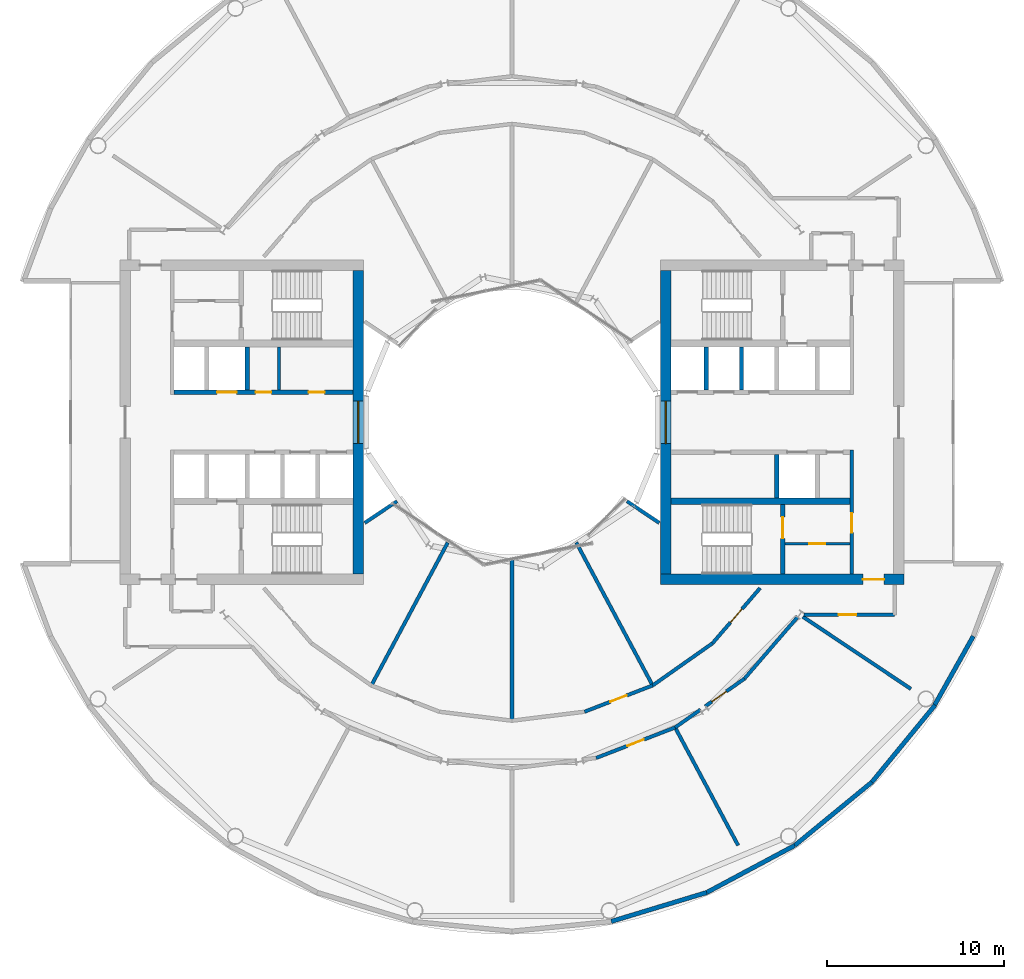
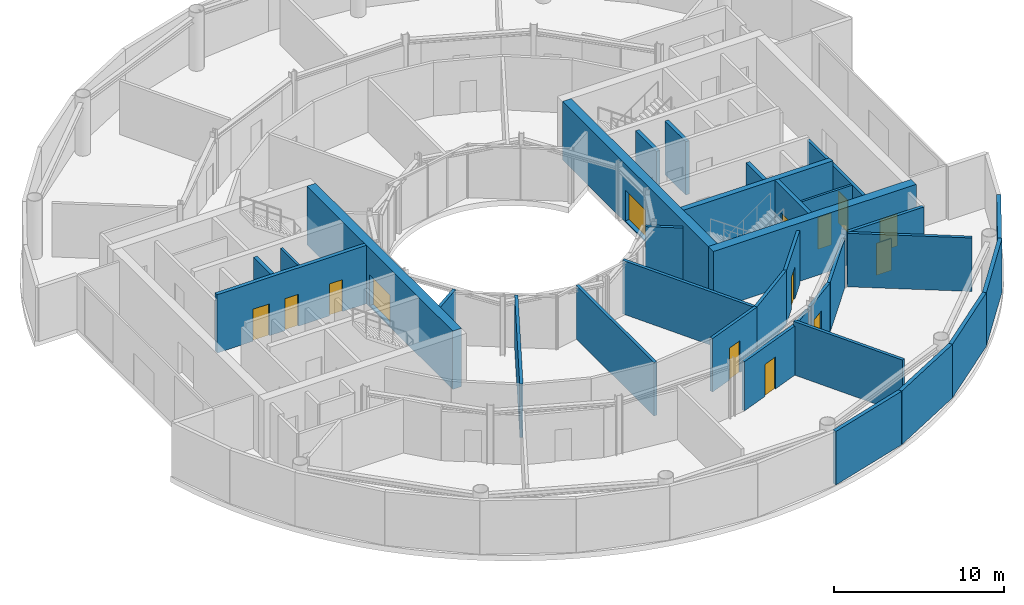
# One storey, part 12 of 18: 33 walls, 12 doors, 2 windows, 14 openings.
"""IFC4 building model written with IfcOpenShell, lengths in metres."""

from ifc_helpers import new_model, si_unit, direction, frame, frame_2d, origin, place, context, subcontext, project, spatial, rectangle, extrude, material, layer, layer_set, type_object, element, fill, save


model = new_model("IFC4")

# Units and contexts
model_context = context("Model", 3, precision=1e-05, world=origin(), true_north=direction((0.0, 1.0)))
body_context = subcontext(model_context, "Body", "Model", "MODEL_VIEW")
ifc_project = project(units=[si_unit("LENGTHUNIT", "METRE"), si_unit("AREAUNIT", "SQUARE_METRE"), si_unit("VOLUMEUNIT", "CUBIC_METRE"), si_unit("PLANEANGLEUNIT", "RADIAN"), si_unit("MASSUNIT", "GRAM", prefix="KILO")], contexts=[model_context])

# Site, building, storey
site_placement = place(None, origin())
site = spatial("IfcSite", under=ifc_project, at=site_placement, CompositionType="ELEMENT")
building_placement = place(site_placement, origin())
building = spatial("IfcBuilding", under=site, at=building_placement, Name="Maasbend Ring Residences", CompositionType="ELEMENT")
storey_placement = place(building_placement, frame((0.0, 0.0, 103.25)))
storey = spatial("IfcBuildingStorey", under=building, at=storey_placement, Name="L29", CompositionType="ELEMENT", Elevation=103.25)

# Wall, opening, door
ifc_material_1 = material(Name="Concrete C30/37", Category="concrete")
ifc_layer_1 = layer(ifc_material_1, 0.199951171875)
ifc_layer_set_1 = layer_set([ifc_layer_1], Name="Concrete C30/37")
wall_type_1 = type_object("IfcWallType", Name="COMPARTMENT WALL 200 CONCRETE", PredefinedType="PARTITIONING", material=ifc_layer_set_1)
wall_1_placement = place(storey_placement, frame((4.761962890625, -19.012939453125, 0.0), z_axis=(0.0, 0.0, 1.0), x_axis=(0.932988479706, 0.359906233255, 0.0)))
wall_1 = element("IfcWall", 1, at=wall_1_placement, inside=storey, type_object=wall_type_1, Name="U-L29-w012", PredefinedType="PARTITIONING", context=body_context, shape_type="SweptSolid", body=[
    extrude(rectangle(XDim=4.798583984375, YDim=0.199951171875, at=frame_2d((2.3994140625, 0.0))), origin(), (0.0, 0.0, 1.0), 3.5400390625),
])
opening_1_placement = place(wall_1_placement, frame((1.89892578125, 0.0, 0.0)))
opening_1 = element("IfcOpeningElement", 2, at=opening_1_placement, cuts=wall_1, Name="Opening D-2913", PredefinedType="OPENING", context=body_context, shape_type="SweptSolid", body=[
    extrude(rectangle(XDim=1.0, YDim=2.300048828125, at=frame_2d((0.5, 1.14990234375))), frame((0.0, 0.10986328125, 0.0), z_axis=(0.0, -1.0, 0.0), x_axis=(1.0, 0.0, 0.0)), (0.0, 0.0, 1.0), 0.219970703125),
])
ifc_material_2 = material(Name="Steel, fire-rated, painted", Category="steel")
door_type_1 = type_object("IfcDoorType", Name="PLANT DOOR 1000 X 2300 FIRE-RATED", OperationType="NOTDEFINED", PredefinedType="DOOR", material=ifc_material_2)
door_1_placement = place(opening_1_placement, origin())
door_1 = element("IfcDoor", 3, at=door_1_placement, inside=storey, type_object=door_type_1, Name="D-2913", OperationType="SINGLE_SWING_LEFT", OverallHeight=2.300048828125, OverallWidth=1.0, PredefinedType="DOOR", context=body_context, shape_type="SweptSolid", body=[
    extrude(rectangle(XDim=1.0, YDim=2.300048828125, at=frame_2d((0.5, 1.14990234375))), frame((0.0, 0.02490234375, 0.0), z_axis=(0.0, -1.0, 0.0), x_axis=(1.0, 0.0, 0.0)), (0.0, 0.0, 1.0), 0.050048828125),
])
fill(opening_1, door_1)

# Wall
wall_2_placement = place(storey_placement, frame((9.239013671875, -17.285888671875, 0.0), z_axis=(0.0, 0.0, 1.0), x_axis=(0.817743843048, 0.575582320052, 0.0)))
element("IfcWall", 4, at=wall_2_placement, inside=storey, type_object=wall_type_1, Name="U-L29-w013", PredefinedType="PARTITIONING", context=body_context, shape_type="SweptSolid", body=[
    extrude(rectangle(XDim=1.768310546875, YDim=0.199951171875, at=frame_2d((0.88427734375, 0.0))), origin(), (0.0, 0.0, 1.0), 3.5400390625),
])

# Wall, opening, door
wall_3_placement = place(storey_placement, frame((10.93603515625, -16.091064453125, 0.0), z_axis=(0.0, 0.0, 1.0), x_axis=(0.817645456482, 0.575722074872, 0.0)))
wall_3 = element("IfcWall", 5, at=wall_3_placement, inside=storey, type_object=wall_type_1, Name="U-L29-w014", PredefinedType="PARTITIONING", context=body_context, shape_type="SweptSolid", body=[
    extrude(rectangle(XDim=2.7236328125, YDim=0.199951171875, at=frame_2d((1.36181640625, 0.0))), origin(), (0.0, 0.0, 1.0), 3.5400390625),
])
opening_2_placement = place(wall_3_placement, frame((0.47412109375, 0.0, 0.0)))
opening_2 = element("IfcOpeningElement", 6, at=opening_2_placement, cuts=wall_3, Name="Opening D-2914", PredefinedType="OPENING", context=body_context, shape_type="SweptSolid", body=[
    extrude(rectangle(XDim=1.0, YDim=2.300048828125, at=frame_2d((0.5, 1.14990234375))), frame((0.0, 0.10986328125, 0.0), z_axis=(0.0, -1.0, 0.0), x_axis=(1.0, 0.0, 0.0)), (0.0, 0.0, 1.0), 0.219970703125),
])
door_2_placement = place(opening_2_placement, origin())
door_2 = element("IfcDoor", 7, at=door_2_placement, inside=storey, type_object=door_type_1, Name="D-2914", OperationType="SINGLE_SWING_LEFT", OverallHeight=2.300048828125, OverallWidth=1.0, PredefinedType="DOOR", context=body_context, shape_type="SweptSolid", body=[
    extrude(rectangle(XDim=1.0, YDim=2.300048828125, at=frame_2d((0.5, 1.14990234375))), frame((0.0, 0.02490234375, 0.0), z_axis=(0.0, -1.0, 0.0), x_axis=(1.0, 0.0, 0.0)), (0.0, 0.0, 1.0), 0.050048828125),
])
fill(opening_2, door_2)

# Wall
wall_4_placement = place(storey_placement, frame((13.1630859375, -14.52294921875, 0.0), z_axis=(0.0, 0.0, 1.0), x_axis=(0.653087281304, 0.757282644063, 0.0)))
element("IfcWall", 8, at=wall_4_placement, inside=storey, type_object=wall_type_1, Name="U-L29-w015", PredefinedType="PARTITIONING", context=body_context, shape_type="SweptSolid", body=[
    extrude(rectangle(XDim=4.64404296875, YDim=0.199951171875, at=frame_2d((2.322021484375, 0.0))), origin(), (0.0, 0.0, 1.0), 3.5400390625),
])

# Wall, opening, door
wall_5_placement = place(storey_placement, frame((4.10595703125, -16.39404296875, 0.0), z_axis=(0.0, 0.0, 1.0), x_axis=(0.932943640288, 0.360022449363, 0.0)))
wall_5 = element("IfcWall", 9, at=wall_5_placement, inside=storey, type_object=wall_type_1, Name="U-L29-w023", PredefinedType="PARTITIONING", context=body_context, shape_type="SweptSolid", body=[
    extrude(rectangle(XDim=4.138671875, YDim=0.199951171875, at=frame_2d((2.0693359375, 0.0))), origin(), (0.0, 0.0, 1.0), 3.85009765625),
])
opening_3_placement = place(wall_5_placement, frame((1.569091796875, 0.0, 0.0)))
opening_3 = element("IfcOpeningElement", 10, at=opening_3_placement, cuts=wall_5, Name="Opening D-2917", PredefinedType="OPENING", context=body_context, shape_type="SweptSolid", body=[
    extrude(rectangle(XDim=1.0, YDim=2.300048828125, at=frame_2d((0.5, 1.14990234375))), frame((0.0, 0.10986328125, 0.0), z_axis=(0.0, -1.0, 0.0), x_axis=(1.0, 0.0, 0.0)), (0.0, 0.0, 1.0), 0.219970703125),
])
door_3_placement = place(opening_3_placement, origin())
door_3 = element("IfcDoor", 11, at=door_3_placement, inside=storey, type_object=door_type_1, Name="D-2917", OperationType="SINGLE_SWING_RIGHT", OverallHeight=2.300048828125, OverallWidth=1.0, PredefinedType="DOOR", context=body_context, shape_type="SweptSolid", body=[
    extrude(rectangle(XDim=1.0, YDim=2.300048828125, at=frame_2d((0.5, 1.14990234375))), frame((0.0, 0.02490234375, 0.0), z_axis=(0.0, -1.0, 0.0), x_axis=(1.0, 0.0, 0.0)), (0.0, 0.0, 1.0), 0.050048828125),
])
fill(opening_3, door_3)

# Wall
wall_6_placement = place(storey_placement, frame((7.967041015625, -14.904052734375, 0.0), z_axis=(0.0, 0.0, 1.0), x_axis=(0.817567680547, 0.575832517079, 0.0)))
element("IfcWall", 12, at=wall_6_placement, inside=storey, type_object=wall_type_1, Name="U-L29-w024", PredefinedType="PARTITIONING", context=body_context, shape_type="SweptSolid", body=[
    extrude(rectangle(XDim=4.13671875, YDim=0.199951171875, at=frame_2d((2.068359375, 0.0))), origin(), (0.0, 0.0, 1.0), 3.85009765625),
])

# Wall, opening, door
wall_7_placement = place(storey_placement, frame((11.34912109375, -12.52197265625, 0.0), z_axis=(0.0, 0.0, 1.0), x_axis=(0.653212695939, 0.757174467256, 0.0)))
wall_7 = element("IfcWall", 13, at=wall_7_placement, inside=storey, type_object=wall_type_1, Name="U-L29-w025", PredefinedType="PARTITIONING", context=body_context, shape_type="SweptSolid", body=[
    extrude(rectangle(XDim=4.137939453125, YDim=0.199951171875, at=frame_2d((2.06884765625, 0.0))), origin(), (0.0, 0.0, 1.0), 3.85009765625),
])
opening_4_placement = place(wall_7_placement, frame((1.569091796875, 0.0, 0.0)))
opening_4 = element("IfcOpeningElement", 14, at=opening_4_placement, cuts=wall_7, Name="Opening D-2918", PredefinedType="OPENING", context=body_context, shape_type="SweptSolid", body=[
    extrude(rectangle(XDim=1.0, YDim=2.300048828125, at=frame_2d((0.5, 1.14990234375))), frame((0.0, 0.10986328125, 0.0), z_axis=(0.0, -1.0, 0.0), x_axis=(1.0, 0.0, 0.0)), (0.0, 0.0, 1.0), 0.219970703125),
])
door_4_placement = place(opening_4_placement, origin())
door_4 = element("IfcDoor", 15, at=door_4_placement, inside=storey, type_object=door_type_1, Name="D-2918", OperationType="SINGLE_SWING_RIGHT", OverallHeight=2.300048828125, OverallWidth=1.0, PredefinedType="DOOR", context=body_context, shape_type="SweptSolid", body=[
    extrude(rectangle(XDim=1.0, YDim=2.300048828125, at=frame_2d((0.5, 1.14990234375))), frame((0.0, 0.02490234375, 0.0), z_axis=(0.0, -1.0, 0.0), x_axis=(1.0, 0.0, 0.0)), (0.0, 0.0, 1.0), 0.050048828125),
])
fill(opening_4, door_4)

wall_8_placement = place(storey_placement, frame((16.541015625, -10.912109375, 0.0), z_axis=(0.0, 0.0, 1.0), x_axis=(0.999997173357, 0.002377662213, 0.0)))
wall_8 = element("IfcWall", 16, at=wall_8_placement, inside=storey, type_object=wall_type_1, Name="U-L29-w027", PredefinedType="PARTITIONING", context=body_context, shape_type="SweptSolid", body=[
    extrude(rectangle(XDim=5.134033203125, YDim=0.199951171875, at=frame_2d((2.56689453125, 0.0))), origin(), (0.0, 0.0, 1.0), 3.85009765625),
])
opening_5_placement = place(wall_8_placement, frame((1.962890625, 0.0, 0.0)))
opening_5 = element("IfcOpeningElement", 17, at=opening_5_placement, cuts=wall_8, Name="Opening D-2921", PredefinedType="OPENING", context=body_context, shape_type="SweptSolid", body=[
    extrude(rectangle(XDim=1.0, YDim=2.300048828125, at=frame_2d((0.5, 1.14990234375))), frame((0.0, 0.10986328125, 0.0), z_axis=(0.0, -1.0, 0.0), x_axis=(1.0, 0.0, 0.0)), (0.0, 0.0, 1.0), 0.219970703125),
])
door_5_placement = place(opening_5_placement, origin())
door_5 = element("IfcDoor", 18, at=door_5_placement, inside=storey, type_object=door_type_1, Name="D-2921", OperationType="SINGLE_SWING_LEFT", OverallHeight=2.300048828125, OverallWidth=1.0, PredefinedType="DOOR", context=body_context, shape_type="SweptSolid", body=[
    extrude(rectangle(XDim=1.0, YDim=2.300048828125, at=frame_2d((0.5, 1.14990234375))), frame((0.0, 0.02490234375, 0.0), z_axis=(0.0, -1.0, 0.0), x_axis=(1.0, 0.0, 0.0)), (0.0, 0.0, 1.0), 0.050048828125),
])
fill(opening_5, door_5)

# Walls
wall_9_placement = place(storey_placement, frame((-7.966064453125, -14.905029296875, 0.0), z_axis=(0.0, 0.0, 1.0), x_axis=(0.471460365694, 0.881887251059, 0.0)))
element("IfcWall", 19, at=wall_9_placement, inside=storey, type_object=wall_type_1, Name="U-L29-w036", PredefinedType="PARTITIONING", context=body_context, shape_type="SweptSolid", body=[
    extrude(rectangle(XDim=9.18017578125, YDim=0.199951171875, at=frame_2d((4.590087890625, 0.0))), origin(), (0.0, 0.0, 1.0), 3.85009765625),
])
wall_10_placement = place(storey_placement, frame((0.0, -16.89990234375, 0.0), z_axis=(0.0, 0.0, 1.0), x_axis=(0.0, 1.0, 0.0)))
element("IfcWall", 20, at=wall_10_placement, inside=storey, type_object=wall_type_1, Name="U-L29-w038", PredefinedType="PARTITIONING", context=body_context, shape_type="SweptSolid", body=[
    extrude(rectangle(XDim=9.179931640625, YDim=0.199951171875, at=frame_2d((4.58984375, 0.0))), origin(), (0.0, 0.0, 1.0), 3.85009765625),
])
wall_11_placement = place(storey_placement, frame((3.637939453125, -6.80908203125, 0.0), z_axis=(0.0, 0.0, 1.0), x_axis=(0.471460365694, -0.881887251059, 0.0)))
element("IfcWall", 21, at=wall_11_placement, inside=storey, type_object=wall_type_1, Name="U-L29-w041", PredefinedType="PARTITIONING", context=body_context, shape_type="SweptSolid", body=[
    extrude(rectangle(XDim=9.18017578125, YDim=0.199951171875, at=frame_2d((4.590087890625, 0.0))), origin(), (0.0, 0.0, 1.0), 3.85009765625),
])
wall_12_placement = place(storey_placement, frame((9.239013671875, -17.285888671875, 0.0), z_axis=(0.0, 0.0, 1.0), x_axis=(0.471439510802, -0.881898399848, 0.0)))
element("IfcWall", 22, at=wall_12_placement, inside=storey, type_object=wall_type_1, Name="U-L29-w043", PredefinedType="PARTITIONING", context=body_context, shape_type="SweptSolid", body=[
    extrude(rectangle(XDim=7.57470703125, YDim=0.199951171875, at=frame_2d((3.787353515625, 0.0))), origin(), (0.0, 0.0, 1.0), 3.85009765625),
])
wall_13_placement = place(storey_placement, frame((16.47412109375, -11.011962890625, 0.0), z_axis=(0.0, 0.0, 1.0), x_axis=(0.83143223768, -0.555626164023, 0.0)))
element("IfcWall", 23, at=wall_13_placement, inside=storey, type_object=wall_type_1, Name="U-L29-w045", PredefinedType="PARTITIONING", context=body_context, shape_type="SweptSolid", body=[
    extrude(rectangle(XDim=7.359375, YDim=0.199951171875, at=frame_2d((3.6796875, 0.0))), origin(), (0.0, 0.0, 1.0), 3.85009765625),
])

# Wall, opening, door
ifc_material_3 = material(Name="Concrete C60/75", Category="concrete")
ifc_layer_2 = layer(ifc_material_3, 0.25)
ifc_layer_set_2 = layer_set([ifc_layer_2], Name="Concrete C60/75")
wall_type_2 = type_object("IfcWallType", Name="CORE WALL 250 C60/75", PredefinedType="SHEAR", material=ifc_layer_set_2)
wall_14_placement = place(storey_placement, frame((15.324951171875, -8.60009765625, 0.0), z_axis=(0.0, 0.0, 1.0), x_axis=(0.0, 1.0, 0.0)))
wall_14 = element("IfcWall", 24, at=wall_14_placement, inside=storey, type_object=wall_type_2, Name="L29 core E wall STES", PredefinedType="SHEAR", context=body_context, shape_type="SweptSolid", body=[
    extrude(rectangle(XDim=3.9501953125, YDim=0.25, at=frame_2d((1.97509765625, 0.0))), origin(), (0.0, 0.0, 1.0), 4.199951171875),
])
opening_6_placement = place(wall_14_placement, frame((2.02490234375, 0.0, 0.0)))
opening_6 = element("IfcOpeningElement", 25, at=opening_6_placement, cuts=wall_14, Name="Opening D-E2910", PredefinedType="OPENING", context=body_context, shape_type="SweptSolid", body=[
    extrude(rectangle(XDim=1.199951171875, YDim=2.300048828125, at=frame_2d((0.60009765625, 1.14990234375))), frame((0.0, 0.135009765625, 0.0), z_axis=(0.0, -1.0, 0.0), x_axis=(1.0, 0.0, 0.0)), (0.0, 0.0, 1.0), 0.27001953125),
])
ifc_material_4 = material(Name="Steel, powder coated", Category="steel")
door_type_2 = type_object("IfcDoorType", Name="STAIR DOOR 1200 X 2300 FD60", OperationType="NOTDEFINED", PredefinedType="DOOR", material=ifc_material_4)
door_6_placement = place(opening_6_placement, origin())
door_6 = element("IfcDoor", 26, at=door_6_placement, inside=storey, type_object=door_type_2, Name="Stair door ST-E L29", OperationType="SINGLE_SWING_LEFT", OverallHeight=2.300048828125, OverallWidth=1.199951171875, PredefinedType="DOOR", context=body_context, shape_type="SweptSolid", body=[
    extrude(rectangle(XDim=1.199951171875, YDim=2.300048828125, at=frame_2d((0.60009765625, 1.14990234375))), frame((0.0, 0.02490234375, 0.0), z_axis=(0.0, -1.0, 0.0), x_axis=(1.0, 0.0, 0.0)), (0.0, 0.0, 1.0), 0.050048828125),
])
fill(opening_6, door_6)

# Wall, openings, doors
wall_15_placement = place(storey_placement, frame((-19.14990234375, 1.699951171875, 0.0), z_axis=(0.0, 0.0, 1.0), x_axis=(1.0, 0.0, 0.0)))
wall_15 = element("IfcWall", 27, at=wall_15_placement, inside=storey, type_object=wall_type_2, Name="L29 core W wall SPS", PredefinedType="SHEAR", context=body_context, shape_type="SweptSolid", body=[
    extrude(rectangle(XDim=10.14990234375, YDim=0.25, at=frame_2d((5.074951171875, 0.0))), origin(), (0.0, 0.0, 1.0), 4.199951171875),
])
opening_7_placement = place(wall_15_placement, frame((2.449951171875, 0.0, 0.0)))
opening_7 = element("IfcOpeningElement", 28, at=opening_7_placement, cuts=wall_15, Name="Opening LD-W2905", PredefinedType="OPENING", context=body_context, shape_type="SweptSolid", body=[
    extrude(rectangle(XDim=1.10009765625, YDim=2.300048828125, at=frame_2d((0.550048828125, 1.14990234375))), frame((0.0, 0.135009765625, 0.0), z_axis=(0.0, -1.0, 0.0), x_axis=(1.0, 0.0, 0.0)), (0.0, 0.0, 1.0), 0.27001953125),
])
opening_8_placement = place(wall_15_placement, frame((7.637451171875, 0.0, 0.0)))
opening_8 = element("IfcOpeningElement", 29, at=opening_8_placement, cuts=wall_15, Name="Opening D-W2906", PredefinedType="OPENING", context=body_context, shape_type="SweptSolid", body=[
    extrude(rectangle(XDim=0.89990234375, YDim=2.300048828125, at=frame_2d((0.449951171875, 1.14990234375))), frame((0.0, 0.135009765625, 0.0), z_axis=(0.0, -1.0, 0.0), x_axis=(1.0, 0.0, 0.0)), (0.0, 0.0, 1.0), 0.27001953125),
])
opening_9_placement = place(wall_15_placement, frame((4.625, 0.0, 0.0)))
opening_9 = element("IfcOpeningElement", 30, at=opening_9_placement, cuts=wall_15, Name="Opening D-W2907", PredefinedType="OPENING", context=body_context, shape_type="SweptSolid", body=[
    extrude(rectangle(XDim=0.89990234375, YDim=2.300048828125, at=frame_2d((0.449951171875, 1.14990234375))), frame((0.0, 0.135009765625, 0.0), z_axis=(0.0, -1.0, 0.0), x_axis=(1.0, 0.0, 0.0)), (0.0, 0.0, 1.0), 0.27001953125),
])
ifc_material_5 = material(Name="Stainless steel 316", Category="steel")
door_type_3 = type_object("IfcDoorType", Name="LANDING DOOR 1100 X 2300 FD60", OperationType="DOUBLE_DOOR_SLIDING", PredefinedType="DOOR", material=ifc_material_5)
door_7_placement = place(opening_7_placement, origin())
door_7 = element("IfcDoor", 31, at=door_7_placement, inside=storey, type_object=door_type_3, Name="Landing door SV-W L29", OperationType="DOUBLE_DOOR_SLIDING", OverallHeight=2.300048828125, OverallWidth=1.10009765625, PredefinedType="DOOR", context=body_context, shape_type="SweptSolid", body=[
    extrude(rectangle(XDim=1.10009765625, YDim=2.300048828125, at=frame_2d((0.550048828125, 1.14990234375))), frame((0.0, 0.02490234375, 0.0), z_axis=(0.0, -1.0, 0.0), x_axis=(1.0, 0.0, 0.0)), (0.0, 0.0, 1.0), 0.050048828125),
])
fill(opening_7, door_7)
ifc_material_6 = material(Name="Steel, powder coated", Category="steel")
door_type_4 = type_object("IfcDoorType", Name="ROOM DOOR 900 X 2300 FD30S", OperationType="NOTDEFINED", PredefinedType="DOOR", material=ifc_material_6)
door_8_placement = place(opening_8_placement, origin())
door_8 = element("IfcDoor", 32, at=door_8_placement, inside=storey, type_object=door_type_4, Name="Room door L29", OperationType="SINGLE_SWING_LEFT", OverallHeight=2.300048828125, OverallWidth=0.89990234375, PredefinedType="DOOR", context=body_context, shape_type="SweptSolid", body=[
    extrude(rectangle(XDim=0.89990234375, YDim=2.300048828125, at=frame_2d((0.449951171875, 1.14990234375))), frame((0.0, 0.02490234375, 0.0), z_axis=(0.0, -1.0, 0.0), x_axis=(1.0, 0.0, 0.0)), (0.0, 0.0, 1.0), 0.050048828125),
])
fill(opening_8, door_8)
door_9_placement = place(opening_9_placement, origin())
door_9 = element("IfcDoor", 33, at=door_9_placement, inside=storey, type_object=door_type_4, Name="Room door L29", OperationType="SINGLE_SWING_LEFT", OverallHeight=2.300048828125, OverallWidth=0.89990234375, PredefinedType="DOOR", context=body_context, shape_type="SweptSolid", body=[
    extrude(rectangle(XDim=0.89990234375, YDim=2.300048828125, at=frame_2d((0.449951171875, 1.14990234375))), frame((0.0, 0.02490234375, 0.0), z_axis=(0.0, -1.0, 0.0), x_axis=(1.0, 0.0, 0.0)), (0.0, 0.0, 1.0), 0.050048828125),
])
fill(opening_9, door_9)

# Wall
ifc_material_7 = material(Name="Concrete C60/75", Category="concrete")
ifc_layer_3 = layer(ifc_material_7, 0.375)
ifc_layer_set_3 = layer_set([ifc_layer_3], Name="Concrete C60/75")
wall_type_3 = type_object("IfcWallType", Name="CORE WALL 375 C60/75", PredefinedType="SHEAR", material=ifc_layer_set_3)
wall_16_placement = place(storey_placement, frame((9.0, -4.46240234375, 0.0), z_axis=(0.0, 0.0, 1.0), x_axis=(1.0, 0.0, 0.0)))
element("IfcWall", 34, at=wall_16_placement, inside=storey, type_object=wall_type_3, Name="L29 core E wall BS", PredefinedType="SHEAR", context=body_context, shape_type="SweptSolid", body=[
    extrude(rectangle(XDim=10.14990234375, YDim=0.375, at=frame_2d((5.074951171875, 0.0))), origin(), (0.0, 0.0, 1.0), 4.199951171875),
])

# Wall, opening, door
ifc_material_8 = material(Name="Concrete C60/75", Category="concrete")
ifc_layer_4 = layer(ifc_material_8, 0.60009765625)
ifc_layer_set_4 = layer_set([ifc_layer_4], Name="Concrete C60/75")
wall_type_4 = type_object("IfcWallType", Name="CORE WALL 600 C60/75", PredefinedType="SHEAR", material=ifc_layer_set_4)
wall_17_placement = place(storey_placement, frame((8.39990234375, -8.89990234375, 0.0), z_axis=(0.0, 0.0, 1.0), x_axis=(1.0, 0.0, 0.0)))
wall_17 = element("IfcWall", 35, at=wall_17_placement, inside=storey, type_object=wall_type_4, Name="L29 core E wall PS", PredefinedType="SHEAR", context=body_context, shape_type="SweptSolid", body=[
    extrude(rectangle(XDim=13.800048828125, YDim=0.60009765625, at=frame_2d((6.89990234375, 0.0))), origin(), (0.0, 0.0, 1.0), 4.199951171875),
])
opening_10_placement = place(wall_17_placement, frame((11.47509765625, 0.0, 0.0)))
opening_10 = element("IfcOpeningElement", 36, at=opening_10_placement, cuts=wall_17, Name="Opening D-E2914", PredefinedType="OPENING", context=body_context, shape_type="SweptSolid", body=[
    extrude(rectangle(XDim=1.199951171875, YDim=2.300048828125, at=frame_2d((0.60009765625, 1.14990234375))), frame((0.0, 0.31005859375, 0.0), z_axis=(0.0, -1.0, 0.0), x_axis=(1.0, 0.0, 0.0)), (0.0, 0.0, 1.0), 0.6201171875),
])
ifc_material_9 = material(Name="Steel, powder coated", Category="steel")
door_type_5 = type_object("IfcDoorType", Name="CORRIDOR DOOR 1200 X 2300 FD30S", OperationType="NOTDEFINED", PredefinedType="DOOR", material=ifc_material_9)
door_10_placement = place(opening_10_placement, origin())
door_10 = element("IfcDoor", 37, at=door_10_placement, inside=storey, type_object=door_type_5, Name="Corridor door L29", OperationType="SINGLE_SWING_LEFT", OverallHeight=2.300048828125, OverallWidth=1.199951171875, PredefinedType="DOOR", context=body_context, shape_type="SweptSolid", body=[
    extrude(rectangle(XDim=1.199951171875, YDim=2.300048828125, at=frame_2d((0.60009765625, 1.14990234375))), frame((0.0, 0.02490234375, 0.0), z_axis=(0.0, -1.0, 0.0), x_axis=(1.0, 0.0, 0.0)), (0.0, 0.0, 1.0), 0.050048828125),
])
fill(opening_10, door_10)

# Wall, opening, window
wall_18_placement = place(storey_placement, frame((8.699951171875, -8.60009765625, 0.0), z_axis=(0.0, 0.0, 1.0), x_axis=(0.0, 1.0, 0.0)))
wall_18 = element("IfcWall", 38, at=wall_18_placement, inside=storey, type_object=wall_type_4, Name="L29 core E wall PIN", PredefinedType="SHEAR", context=body_context, shape_type="SweptSolid", body=[
    extrude(rectangle(XDim=17.2001953125, YDim=0.60009765625, at=frame_2d((8.60009765625, 0.0))), origin(), (0.0, 0.0, 1.0), 4.199951171875),
])
opening_11_placement = place(wall_18_placement, frame((7.39990234375, 0.0, 0.10009765625)))
opening_11 = element("IfcOpeningElement", 39, at=opening_11_placement, cuts=wall_18, Name="Opening W-E2901", PredefinedType="OPENING", context=body_context, shape_type="SweptSolid", body=[
    extrude(rectangle(XDim=2.39990234375, YDim=2.199951171875, at=frame_2d((1.199951171875, 1.10009765625))), frame((0.0, 0.31005859375, 0.0), z_axis=(0.0, -1.0, 0.0), x_axis=(1.0, 0.0, 0.0)), (0.0, 0.0, 1.0), 0.6201171875),
])
ifc_material_10 = material(Name="Aluminium frame and clear glass", Category="aluminium")
window_type = type_object("IfcWindowType", Name="FIXED WINDOW 2400 X 2200", PartitioningType="SINGLE_PANEL", PredefinedType="WINDOW", material=ifc_material_10)
window_1_placement = place(opening_11_placement, origin())
window_1 = element("IfcWindow", 40, at=window_1_placement, inside=storey, type_object=window_type, Name="Lobby window L29", OverallHeight=2.199951171875, OverallWidth=2.39990234375, PartitioningType="SINGLE_PANEL", PredefinedType="WINDOW", context=body_context, shape_type="SweptSolid", body=[
    extrude(rectangle(XDim=2.39990234375, YDim=2.199951171875, at=frame_2d((1.199951171875, 1.10009765625))), frame((0.0, 0.030029296875, 0.0), z_axis=(0.0, -1.0, 0.0), x_axis=(1.0, 0.0, 0.0)), (0.0, 0.0, 1.0), 0.06005859375),
])
fill(opening_11, window_1)

wall_19_placement = place(storey_placement, frame((-8.699951171875, 8.60009765625, 0.0), z_axis=(0.0, 0.0, 1.0), x_axis=(0.0, -1.0, 0.0)))
wall_19 = element("IfcWall", 41, at=wall_19_placement, inside=storey, type_object=wall_type_4, Name="L29 core W wall PIN", PredefinedType="SHEAR", context=body_context, shape_type="SweptSolid", body=[
    extrude(rectangle(XDim=17.2001953125, YDim=0.60009765625, at=frame_2d((8.60009765625, 0.0))), origin(), (0.0, 0.0, 1.0), 4.199951171875),
])
opening_12_placement = place(wall_19_placement, frame((7.39990234375, 0.0, 0.10009765625)))
opening_12 = element("IfcOpeningElement", 42, at=opening_12_placement, cuts=wall_19, Name="Opening W-W2901", PredefinedType="OPENING", context=body_context, shape_type="SweptSolid", body=[
    extrude(rectangle(XDim=2.39990234375, YDim=2.199951171875, at=frame_2d((1.199951171875, 1.10009765625))), frame((0.0, 0.31005859375, 0.0), z_axis=(0.0, -1.0, 0.0), x_axis=(1.0, 0.0, 0.0)), (0.0, 0.0, 1.0), 0.6201171875),
])
window_2_placement = place(opening_12_placement, origin())
window_2 = element("IfcWindow", 43, at=window_2_placement, inside=storey, type_object=window_type, Name="Lobby window L29", OverallHeight=2.199951171875, OverallWidth=2.39990234375, PartitioningType="SINGLE_PANEL", PredefinedType="WINDOW", context=body_context, shape_type="SweptSolid", body=[
    extrude(rectangle(XDim=2.39990234375, YDim=2.199951171875, at=frame_2d((1.199951171875, 1.10009765625))), frame((0.0, 0.030029296875, 0.0), z_axis=(0.0, -1.0, 0.0), x_axis=(1.0, 0.0, 0.0)), (0.0, 0.0, 1.0), 0.06005859375),
])
fill(opening_12, window_2)

# Walls
ifc_material_11 = material(Name="Louvred aluminium panel", Category="aluminium")
ifc_layer_5 = layer(ifc_material_11, 0.25)
ifc_layer_set_5 = layer_set([ifc_layer_5], Name="EW-LV")
wall_type_5 = type_object("IfcWallType", Name="EW-LV", PredefinedType="SOLIDWALL", material=ifc_layer_set_5)
wall_20_placement = place(storey_placement, frame((5.623046875, -28.27099609375, 0.0), z_axis=(0.0, 0.0, 1.0), x_axis=(0.956969521741, 0.29018844646, 0.0)))
element("IfcWall", 44, at=wall_20_placement, inside=storey, type_object=wall_type_5, Name="External wall S07", PredefinedType="SOLIDWALL", context=body_context, shape_type="SweptSolid", body=[
    extrude(rectangle(XDim=5.651123046875, YDim=0.25, at=frame_2d((2.82568359375, 0.0))), origin(), (0.0, 0.0, 1.0), 3.85009765625),
])
wall_21_placement = place(storey_placement, frame((11.031005859375, -26.631103515625, 0.0), z_axis=(0.0, 0.0, 1.0), x_axis=(0.881874058161, 0.471485042756, 0.0)))
element("IfcWall", 45, at=wall_21_placement, inside=storey, type_object=wall_type_5, Name="External wall S08", PredefinedType="SOLIDWALL", context=body_context, shape_type="SweptSolid", body=[
    extrude(rectangle(XDim=5.650390625, YDim=0.25, at=frame_2d((2.8251953125, 0.0))), origin(), (0.0, 0.0, 1.0), 3.85009765625),
])
for number, where, z_axis, x_axis, name in (
    (46, (16.013916015625, -23.967041015625, 0.0), (0.0, 0.0, 1.0), (0.773001659186, 0.634403999748, 0.0), "External wall S09"),
    (47, (20.382080078125, -20.382080078125, 0.0), (0.0, 0.0, 1.0), (0.634403999748, 0.773001659186, 0.0), "External wall S10"),
):
    element("IfcWall", number, at=place(storey_placement, frame(where, z_axis=z_axis, x_axis=x_axis)), inside=storey, type_object=wall_type_5, Name=name, PredefinedType="SOLIDWALL", context=body_context, shape_type="SweptSolid", body=[
        extrude(rectangle(XDim=5.65087890625, YDim=0.25, at=frame_2d((2.825439453125, 0.0))), origin(), (0.0, 0.0, 1.0), 3.85009765625),
    ])
wall_22_placement = place(storey_placement, frame((23.946044921875, -16.0, 0.0), z_axis=(0.0, 0.0, 1.0), x_axis=(0.489696356642, 0.871893042919, 0.0)))
element("IfcWall", 48, at=wall_22_placement, inside=storey, type_object=wall_type_5, Name="Horn wall 2.1", PredefinedType="SOLIDWALL", context=body_context, shape_type="SweptSolid", body=[
    extrude(rectangle(XDim=4.45361328125, YDim=0.25, at=frame_2d((2.226806640625, 0.0))), origin(), (0.0, 0.0, 1.0), 3.85009765625),
])

# Wall, opening, door
ifc_material_12 = material(Name="Gypsum board on steel studs", Category="steel")
ifc_layer_6 = layer(ifc_material_12, 0.14990234375)
ifc_layer_set_6 = layer_set([ifc_layer_6], Name="PARTITION 150 EI 60")
wall_type_6 = type_object("IfcWallType", Name="PARTITION 150 EI 60", PredefinedType="PARTITIONING", material=ifc_layer_set_6)
wall_23_placement = place(storey_placement, frame((15.449951171875, -6.875, 0.0), z_axis=(0.0, 0.0, 1.0), x_axis=(1.0, 0.0, 0.0)))
wall_23 = element("IfcWall", 49, at=wall_23_placement, inside=storey, type_object=wall_type_6, Name="L29 core E wall RHS", PredefinedType="PARTITIONING", context=body_context, shape_type="SweptSolid", body=[
    extrude(rectangle(XDim=3.699951171875, YDim=0.14990234375, at=frame_2d((1.85009765625, 0.0))), origin(), (0.0, 0.0, 1.0), 3.85009765625),
])
opening_13_placement = place(wall_23_placement, frame((1.39990234375, 0.0, 0.0)))
opening_13 = element("IfcOpeningElement", 50, at=opening_13_placement, cuts=wall_23, Name="Opening D-E2908", PredefinedType="OPENING", context=body_context, shape_type="SweptSolid", body=[
    extrude(rectangle(XDim=0.89990234375, YDim=2.300048828125, at=frame_2d((0.449951171875, 1.14990234375))), frame((0.0, 0.0849609375, 0.0), z_axis=(0.0, -1.0, 0.0), x_axis=(1.0, 0.0, 0.0)), (0.0, 0.0, 1.0), 0.169921875),
])
ifc_material_13 = material(Name="Steel, powder coated", Category="steel")
door_type_6 = type_object("IfcDoorType", Name="RISER DOOR 900 X 2300 FD60", OperationType="NOTDEFINED", PredefinedType="DOOR", material=ifc_material_13)
door_11_placement = place(opening_13_placement, origin())
door_11 = element("IfcDoor", 51, at=door_11_placement, inside=storey, type_object=door_type_6, Name="Riser door L29", OperationType="SINGLE_SWING_LEFT", OverallHeight=2.300048828125, OverallWidth=0.89990234375, PredefinedType="DOOR", context=body_context, shape_type="SweptSolid", body=[
    extrude(rectangle(XDim=0.89990234375, YDim=2.300048828125, at=frame_2d((0.449951171875, 1.14990234375))), frame((0.0, 0.02490234375, 0.0), z_axis=(0.0, -1.0, 0.0), x_axis=(1.0, 0.0, 0.0)), (0.0, 0.0, 1.0), 0.050048828125),
])
fill(opening_13, door_11)

# Walls
wall_24_placement = place(storey_placement, frame((-13.199951171875, 1.824951171875, 0.0), z_axis=(0.0, 0.0, 1.0), x_axis=(0.0, 1.0, 0.0)))
element("IfcWall", 52, at=wall_24_placement, inside=storey, type_object=wall_type_6, Name="L29 core W wall PRS1320", PredefinedType="PARTITIONING", context=body_context, shape_type="SweptSolid", body=[
    extrude(rectangle(XDim=2.449951171875, YDim=0.14990234375, at=frame_2d((1.22509765625, 0.0))), origin(), (0.0, 0.0, 1.0), 3.85009765625),
])
ifc_material_14 = material(Name="Concrete C30/37", Category="concrete")
ifc_layer_7 = layer(ifc_material_14, 0.199951171875)
ifc_layer_set_7 = layer_set([ifc_layer_7], Name="Concrete C30/37")
wall_type_7 = type_object("IfcWallType", Name="PARTY WALL 200 CONCRETE", PredefinedType="PARTITIONING", material=ifc_layer_set_7)
for number, where, z_axis, x_axis, name in (
    (53, (-6.512939453125, -4.471923828125, 0.0), (0.0, 0.0, 1.0), (-0.831333375071, -0.555774072347, 0.0), "U-L29-w029"),
    (54, (6.512939453125, -4.471923828125, 0.0), (0.0, 0.0, 1.0), (0.831333375071, -0.555774072347, 0.0), "U-L29-w030"),
):
    element("IfcWall", number, at=place(storey_placement, frame(where, z_axis=z_axis, x_axis=x_axis)), inside=storey, type_object=wall_type_7, Name=name, PredefinedType="PARTITIONING", context=body_context, shape_type="SweptSolid", body=[
        extrude(rectangle(XDim=2.20263671875, YDim=0.199951171875, at=frame_2d((1.101318359375, 0.0))), origin(), (0.0, 0.0, 1.0), 3.85009765625),
    ])

# Wall, opening, door
ifc_material_15 = material(Name="Concrete C30/37", Category="concrete")
ifc_layer_8 = layer(ifc_material_15, 0.199951171875)
ifc_layer_set_8 = layer_set([ifc_layer_8], Name="Concrete C30/37")
wall_type_8 = type_object("IfcWallType", Name="SHAFT WALL 200 EI 120", PredefinedType="SOLIDWALL", material=ifc_layer_set_8)
wall_25_placement = place(storey_placement, frame((19.25, -8.60009765625, 0.0), z_axis=(0.0, 0.0, 1.0), x_axis=(0.0, 1.0, 0.0)))
wall_25 = element("IfcWall", 55, at=wall_25_placement, inside=storey, type_object=wall_type_8, Name="L29 core E wall ENDS", PredefinedType="SOLIDWALL", context=body_context, shape_type="SweptSolid", body=[
    extrude(rectangle(XDim=7.025146484375, YDim=0.199951171875, at=frame_2d((3.5126953125, 0.0))), origin(), (0.0, 0.0, 1.0), 3.85009765625),
])
opening_14_placement = place(wall_25_placement, frame((2.35009765625, 0.0, 0.0)))
opening_14 = element("IfcOpeningElement", 56, at=opening_14_placement, cuts=wall_25, Name="Opening D-E2912", PredefinedType="OPENING", context=body_context, shape_type="SweptSolid", body=[
    extrude(rectangle(XDim=1.10009765625, YDim=2.300048828125, at=frame_2d((0.550048828125, 1.14990234375))), frame((0.0, 0.10986328125, 0.0), z_axis=(0.0, -1.0, 0.0), x_axis=(1.0, 0.0, 0.0)), (0.0, 0.0, 1.0), 0.219970703125),
])
ifc_material_16 = material(Name="Steel, powder coated", Category="steel")
door_type_7 = type_object("IfcDoorType", Name="LOBBY DOOR 1100 X 2300 FD60", OperationType="NOTDEFINED", PredefinedType="DOOR", material=ifc_material_16)
door_12_placement = place(opening_14_placement, origin())
door_12 = element("IfcDoor", 57, at=door_12_placement, inside=storey, type_object=door_type_7, Name="Lobby door L29", OperationType="SINGLE_SWING_RIGHT", OverallHeight=2.300048828125, OverallWidth=1.10009765625, PredefinedType="DOOR", context=body_context, shape_type="SweptSolid", body=[
    extrude(rectangle(XDim=1.10009765625, YDim=2.300048828125, at=frame_2d((0.550048828125, 1.14990234375))), frame((0.0, 0.02490234375, 0.0), z_axis=(0.0, -1.0, 0.0), x_axis=(1.0, 0.0, 0.0)), (0.0, 0.0, 1.0), 0.050048828125),
])
fill(opening_14, door_12)

# Walls
ifc_material_17 = material(Name="Concrete C30/37", Category="concrete")
ifc_layer_9 = layer(ifc_material_17, 0.25)
ifc_layer_set_9 = layer_set([ifc_layer_9], Name="Concrete C30/37")
wall_type_9 = type_object("IfcWallType", Name="SHAFT WALL 250 EI 120", PredefinedType="SOLIDWALL", material=ifc_layer_set_9)
for number, where, z_axis, x_axis, name in (
    (58, (15.0, -1.824951171875, 0.0), (0.0, 0.0, 1.0), (0.0, -1.0, 0.0), "L29 core E wall D150S"),
    (59, (11.0, 1.824951171875, 0.0), (0.0, 0.0, 1.0), (0.0, 1.0, 0.0), "L29 core E wall D110N"),
    (60, (13.0, 1.824951171875, 0.0), (0.0, 0.0, 1.0), (0.0, 1.0, 0.0), "L29 core E wall D130N"),
    (61, (-15.0, 1.824951171875, 0.0), (0.0, 0.0, 1.0), (0.0, 1.0, 0.0), "L29 core W wall D150S"),
):
    element("IfcWall", number, at=place(storey_placement, frame(where, z_axis=z_axis, x_axis=x_axis)), inside=storey, type_object=wall_type_9, Name=name, PredefinedType="SOLIDWALL", context=body_context, shape_type="SweptSolid", body=[
        extrude(rectangle(XDim=2.449951171875, YDim=0.25, at=frame_2d((1.22509765625, 0.0))), origin(), (0.0, 0.0, 1.0), 3.85009765625),
    ])

save(model, "model.ifc")
